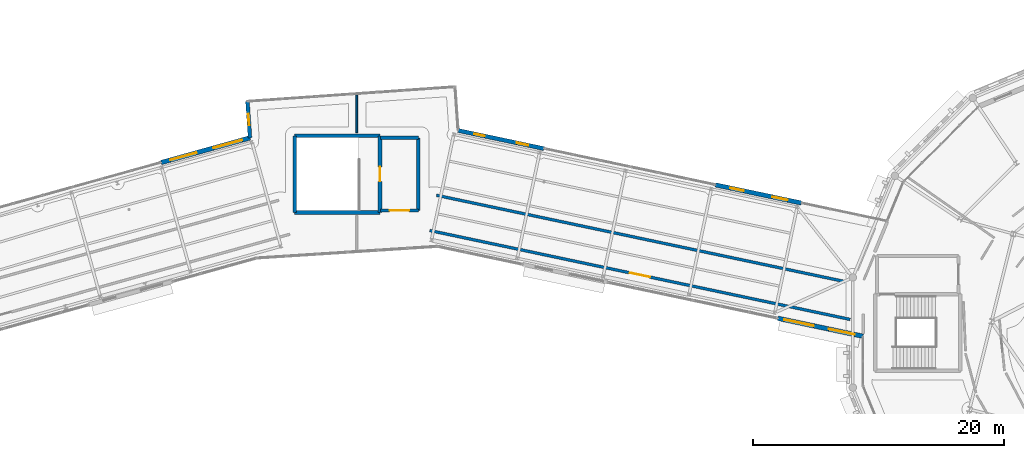
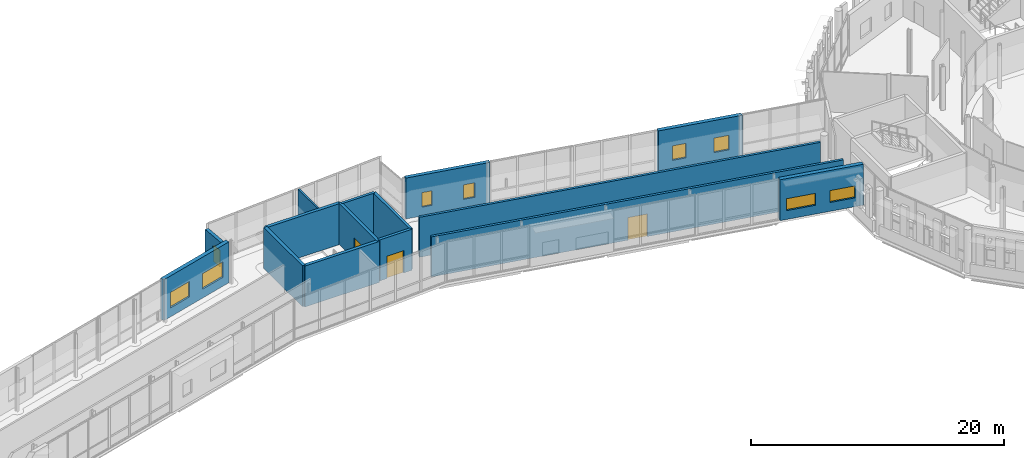
# One storey, part 91 of 125: 15 walls, 9 windows, 3 doors, 12 openings.
"""IFC4 building model written with IfcOpenShell, lengths in metres."""

import ifcopenshell
import ifcopenshell.guid

model = None  # the IFC model being written
_history = None  # IfcOwnerHistory: only IFC2X3 demands one
_inside = {}  # id of a spatial element -> (the spatial element, [elements in it])
_under = {}  # id of a project, library or spatial element -> (it, [spatial elements below it])
_declared = {}  # id of a project -> (the project, [libraries it declares])
_typed = {}  # id of a type object -> (the type object, [elements of that type])
_made_of = {}  # id of a material, layer set ... -> (it, [elements and type objects made of it])


def new_model(schema):
    """Start an empty IFC model of exactly this schema.

    Asked for "IFC4X3", IfcOpenShell would pick the latest addendum, in which some entities
    have other attributes; the version numbers below select the first issue.
    IFC2X3 requires an IfcOwnerHistory on every rooted entity: one is made here for all.
    """
    global model, _history
    if schema == "IFC4X3":
        model = ifcopenshell.file(schema_version=(4, 3, 0, 0))
    else:
        model = ifcopenshell.file(schema=schema)
    _inside.clear()
    _under.clear()
    _declared.clear()
    _typed.clear()
    _made_of.clear()
    _history = None
    if model.schema == "IFC2X3":
        org = make("IfcOrganization", Name="unknown")
        user = make(
            "IfcPersonAndOrganization",
            ThePerson=make("IfcPerson", FamilyName="unknown"),
            TheOrganization=org,
        )
        app = make(
            "IfcApplication",
            ApplicationDeveloper=org,
            Version="unknown",
            ApplicationFullName="unknown",
            ApplicationIdentifier="unknown",
        )
        _history = make(
            "IfcOwnerHistory",
            OwningUser=user,
            OwningApplication=app,
            ChangeAction="ADDED",
            CreationDate=0,
        )
    return model


def make(cls, **values):
    """One entity of the class cls with the attributes given. An attribute that is None is left unset."""
    return model.create_entity(
        cls, **{name: value for name, value in values.items() if value is not None}
    )


def rooted(cls, **values):
    """An entity with a GlobalId (a new one), such as an element, a storey or a relation."""
    return make(cls, GlobalId=ifcopenshell.guid.new(), OwnerHistory=_history, **values)


def si_unit(unit_type, name, prefix=None):
    """IfcSIUnit, for example si_unit("LENGTHUNIT", "METRE", prefix="MILLI")."""
    return make("IfcSIUnit", UnitType=unit_type, Prefix=prefix, Name=name)


def assignment(units):
    """IfcUnitAssignment: the units of a project."""
    return None if units is None else make("IfcUnitAssignment", Units=units)


def point(xyz):
    """IfcCartesianPoint."""
    return None if xyz is None else make("IfcCartesianPoint", Coordinates=xyz)


def direction(xyz):
    """IfcDirection."""
    return None if xyz is None else make("IfcDirection", DirectionRatios=xyz)


def frame(location, z_axis=None, x_axis=None):
    """IfcAxis2Placement3D, a coordinate frame: its origin and axes. An axis left out is left unset."""
    return make(
        "IfcAxis2Placement3D",
        Location=point(location),
        Axis=direction(z_axis),
        RefDirection=direction(x_axis),
    )


def frame_2d(location, x_axis=None):
    """IfcAxis2Placement2D, a coordinate frame in the plane: its origin and x axis."""
    return make(
        "IfcAxis2Placement2D", Location=point(location), RefDirection=direction(x_axis)
    )


def origin():
    """The frame at (0, 0, 0) with its axes left unset."""
    return frame((0.0, 0.0, 0.0))


def place(relative_to, where):
    """IfcLocalPlacement: puts the frame where relative to a parent placement (None: the world)."""
    return make(
        "IfcLocalPlacement", PlacementRelTo=relative_to, RelativePlacement=where
    )


def context(
    kind, dimensions, precision=None, world=None, true_north=None, identifier=None
):
    """IfcGeometricRepresentationContext, for example the 3D "Model" context."""
    return make(
        "IfcGeometricRepresentationContext",
        ContextIdentifier=identifier,
        ContextType=kind,
        CoordinateSpaceDimension=dimensions,
        Precision=precision,
        WorldCoordinateSystem=world,
        TrueNorth=true_north,
    )


def subcontext(parent, identifier, kind, view, scale=None):
    """IfcGeometricRepresentationSubContext, for example "Body" below "Model"."""
    return make(
        "IfcGeometricRepresentationSubContext",
        ContextIdentifier=identifier,
        ContextType=kind,
        ParentContext=parent,
        TargetScale=scale,
        TargetView=view,
    )


def project(units=None, contexts=None):
    """IfcProject with its units and contexts."""
    return rooted(
        "IfcProject",
        Name="project",
        RepresentationContexts=contexts,
        UnitsInContext=assignment(units),
    )


def spatial(cls, under=None, at=None, **own):
    """A site, building, storey or space (cls), placed at a placement, below another one or the project."""
    s = rooted(cls, ObjectPlacement=at, **own)
    if under is not None:
        _under.setdefault(under.id(), (under, []))[1].append(s)
    return s


def profile(cls, at=None, kind="AREA", **sizes):
    """A parametric profile (cls). Its sizes go by their IFC names, for example OverallWidth=200.0."""
    return make(cls, ProfileType=kind, Position=at, **sizes)


def rectangle(**sizes):
    """IfcRectangleProfileDef."""
    return profile("IfcRectangleProfileDef", **sizes)


def extrude(swept, where, along, depth):
    """IfcExtrudedAreaSolid: the profile swept, set in the frame where, extruded along a direction by depth."""
    return make(
        "IfcExtrudedAreaSolid",
        SweptArea=swept,
        Position=where,
        ExtrudedDirection=direction(along),
        Depth=depth,
    )


def shape(context_of_items, identifier, shape_type, items):
    """IfcShapeRepresentation: the items that make up one representation, for example the "Body"."""
    return make(
        "IfcShapeRepresentation",
        ContextOfItems=context_of_items,
        RepresentationIdentifier=identifier,
        RepresentationType=shape_type,
        Items=items,
    )


def material(Name=None, Category=None):
    """IfcMaterial."""
    return make("IfcMaterial", Name=Name, Category=Category)


def layer(
    of_material, thickness, ventilated=None, Name=None, Category=None, Priority=None
):
    """IfcMaterialLayer: one layer of a wall or slab, of a material (None: an air gap)."""
    return make(
        "IfcMaterialLayer",
        Material=of_material,
        LayerThickness=thickness,
        IsVentilated=ventilated,
        Name=Name,
        Category=Category,
        Priority=Priority,
    )


def layer_set(layers, Name=None):
    """IfcMaterialLayerSet."""
    return make("IfcMaterialLayerSet", MaterialLayers=layers, LayerSetName=Name)


def made_of(thing, what):
    """Note that an element or type object is made of a material, layer set ...; save() writes the relation."""
    if what is not None:
        _made_of.setdefault(what.id(), (what, []))[1].append(thing)
    return thing


def type_object(cls, material=None, **own):
    """A type object (cls), such as IfcWallType, which elements share."""
    return made_of(rooted(cls, **own), material)


def element(
    cls,
    number,
    at=None,
    inside=None,
    cuts=None,
    type_object=None,
    material=None,
    context=None,
    identifier="Body",
    shape_type=None,
    held_by="IfcProductDefinitionShape",
    body=None,
    shapes=None,
    **own,
):
    """One element of the class cls, such as IfcWall. Its Tag is "e" and its number.

    at: its placement. inside: the storey or other place that contains it. cuts: it is an
    opening in that element (IfcRelVoidsElement). A single representation is given by context,
    identifier, shape_type and body (its items); several are given by shapes. held_by: the class
    of the entity that holds the representations. save() writes the other relations.
    """
    e = rooted(cls, Tag="e%d" % number, ObjectPlacement=at, **own)
    if body is not None:
        shapes = [shape(context, identifier, shape_type, body)]
    if shapes is not None:
        e.Representation = make(held_by, Representations=shapes)
    if inside is not None:
        _inside.setdefault(inside.id(), (inside, []))[1].append(e)
    if cuts is not None:
        rooted(
            "IfcRelVoidsElement", RelatingBuildingElement=cuts, RelatedOpeningElement=e
        )
    if type_object is not None:
        _typed.setdefault(type_object.id(), (type_object, []))[1].append(e)
    return made_of(e, material)


def fill(opening, filler):
    """IfcRelFillsElement: the door or window that sits in an opening."""
    return rooted(
        "IfcRelFillsElement",
        RelatingOpeningElement=opening,
        RelatedBuildingElement=filler,
    )


def aggregate(whole, parts):
    """IfcRelAggregates: a whole, such as a stair, and the parts it consists of."""
    return rooted("IfcRelAggregates", RelatingObject=whole, RelatedObjects=parts)


def save(model, path):
    """Write the relations noted so far, then the file.

    IfcRelAggregates (storeys below a building ...), IfcRelContainedInSpatialStructure (elements
    in a storey), IfcRelDefinesByType, IfcRelAssociatesMaterial and IfcRelDeclares: one each for
    every whole, place, type object, material and project.
    """
    for whole, parts in _under.values():
        aggregate(whole, parts)
    for where, things in _inside.values():
        rooted(
            "IfcRelContainedInSpatialStructure",
            RelatedElements=things,
            RelatingStructure=where,
        )
    for kind, things in _typed.values():
        rooted("IfcRelDefinesByType", RelatedObjects=things, RelatingType=kind)
    for what, things in _made_of.values():
        rooted("IfcRelAssociatesMaterial", RelatedObjects=things, RelatingMaterial=what)
    for by, libraries in _declared.values():
        rooted("IfcRelDeclares", RelatingContext=by, RelatedDefinitions=libraries)
    model.write(path)


model = new_model("IFC4")

# Units and contexts
model_context = context("Model", 3, precision=1e-05, world=origin(), true_north=direction((0.0, 1.0)))
body_context = subcontext(model_context, "Body", "Model", "MODEL_VIEW")
ifc_project = project(units=[si_unit("LENGTHUNIT", "METRE"), si_unit("AREAUNIT", "SQUARE_METRE"), si_unit("VOLUMEUNIT", "CUBIC_METRE"), si_unit("PLANEANGLEUNIT", "RADIAN"), si_unit("MASSUNIT", "GRAM", prefix="KILO")], contexts=[model_context])

# Site, building, storey
site_placement = place(None, origin())
site = spatial("IfcSite", under=ifc_project, at=site_placement, CompositionType="ELEMENT")
building_placement = place(site_placement, origin())
building = spatial("IfcBuilding", under=site, at=building_placement, Name="Wrenclough Park School", CompositionType="ELEMENT")
storey_placement = place(building_placement, frame((0.0, 0.0, 4.199951171875)))
storey = spatial("IfcBuildingStorey", under=building, at=storey_placement, Name="L01", CompositionType="ELEMENT", Elevation=4.199951171875)

# Wall, opening, window
ifc_material_1 = material(Name="Manchester multi-stock brick and Concrete C32/40 inner leaf", Category="masonry")
ifc_layer_1 = layer(ifc_material_1, 0.300048828125)
ifc_layer_set_1 = layer_set([ifc_layer_1], Name="Manchester multi-stock brick and Concrete C32/40 inner leaf")
wall_type_1 = type_object("IfcWallType", Name="ENV-EW-300", PredefinedType="SOLIDWALL", material=ifc_layer_set_1)
wall_1_placement = place(storey_placement, frame((85.50439453125, 41.993896484375, 0.0), z_axis=(0.0, 0.0, 1.0), x_axis=(-0.069781381615, 0.997562308219, 0.0)))
wall_1 = element("IfcWall", 1, at=wall_1_placement, inside=storey, type_object=wall_type_1, Name="L01 insulated brick external wall 0112", PredefinedType="SOLIDWALL", context=body_context, shape_type="SweptSolid", body=[
    extrude(rectangle(XDim=2.900390625, YDim=0.300048828125, at=frame_2d((1.4501953125, 0.0))), origin(), (0.0, 0.0, 1.0), 3.4189453125),
])
opening_1_placement = place(wall_1_placement, frame((1.000244140625, 0.0, 0.85009765625)))
opening_1 = element("IfcOpeningElement", 2, at=opening_1_placement, cuts=wall_1, Name="Opening WN-13", PredefinedType="OPENING", context=body_context, shape_type="SweptSolid", body=[
    extrude(rectangle(XDim=0.89990234375, YDim=1.60009765625, at=frame_2d((0.449951171875, 0.800048828125))), frame((0.0, 0.159912109375, 0.0), z_axis=(0.0, -1.0, 0.0), x_axis=(1.0, 0.0, 0.0)), (0.0, 0.0, 1.0), 0.320068359375),
])
ifc_material_2 = material(Name="Thermally broken aluminium and double-glazed low-e glass", Category="aluminium")
window_type_1 = type_object("IfcWindowType", Name="ENV-WN-13", PartitioningType="SINGLE_PANEL", PredefinedType="WINDOW", material=ifc_material_2)
window_1_placement = place(opening_1_placement, origin())
window_1 = element("IfcWindow", 3, at=window_1_placement, inside=storey, type_object=window_type_1, Name="L01 scheduled facade window 0167", OverallHeight=1.60009765625, OverallWidth=0.89990234375, PartitioningType="SINGLE_PANEL", PredefinedType="WINDOW", context=body_context, shape_type="SweptSolid", body=[
    extrude(rectangle(XDim=0.89990234375, YDim=1.60009765625, at=frame_2d((0.449951171875, 0.800048828125))), frame((0.0, 0.030029296875, 0.0), z_axis=(0.0, -1.0, 0.0), x_axis=(1.0, 0.0, 0.0)), (0.0, 0.0, 1.0), 0.06005859375),
])
fill(opening_1, window_1)

# Wall, openings, windows
ifc_layer_2 = layer(ifc_material_1, 0.324951171875)
ifc_layer_set_2 = layer_set([ifc_layer_2], Name="Manchester multi-stock brick and Concrete C32/40 inner leaf")
wall_type_2 = type_object("IfcWallType", Name="ENV-EW-325", PredefinedType="SOLIDWALL", material=ifc_layer_set_2)
wall_2_placement = place(storey_placement, frame((102.06396484375, 42.578857421875, 0.0), z_axis=(0.0, 0.0, 1.0), x_axis=(0.978380607177, -0.206812445224, 0.0)))
wall_2 = element("IfcWall", 4, at=wall_2_placement, inside=storey, type_object=wall_type_2, Name="L01 insulated brick external wall 0113", PredefinedType="SOLIDWALL", context=body_context, shape_type="SweptSolid", body=[
    extrude(rectangle(XDim=6.980224609375, YDim=0.324951171875, at=frame_2d((3.490234375, 0.0))), origin(), (0.0, 0.0, 1.0), 3.93994140625),
])
opening_2_placement = place(wall_2_placement, frame((1.320068359375, 0.0, 0.85009765625)))
opening_2 = element("IfcOpeningElement", 5, at=opening_2_placement, cuts=wall_2, Name="Opening WN-01", PredefinedType="OPENING", context=body_context, shape_type="SweptSolid", body=[
    extrude(rectangle(XDim=0.85009765625, YDim=1.39990234375, at=frame_2d((0.425048828125, 0.699951171875))), frame((0.0, 0.17236328125, 0.0), z_axis=(0.0, -1.0, 0.0), x_axis=(1.0, 0.0, 0.0)), (0.0, 0.0, 1.0), 0.344970703125),
])
opening_3_placement = place(wall_2_placement, frame((4.76025390625, 0.0, 0.85009765625)))
opening_3 = element("IfcOpeningElement", 6, at=opening_3_placement, cuts=wall_2, Name="Opening WN-02", PredefinedType="OPENING", context=body_context, shape_type="SweptSolid", body=[
    extrude(rectangle(XDim=0.949951171875, YDim=1.39990234375, at=frame_2d((0.47509765625, 0.699951171875))), frame((0.0, 0.17236328125, 0.0), z_axis=(0.0, -1.0, 0.0), x_axis=(1.0, 0.0, 0.0)), (0.0, 0.0, 1.0), 0.344970703125),
])
window_type_2 = type_object("IfcWindowType", Name="ENV-WN-01", PartitioningType="SINGLE_PANEL", PredefinedType="WINDOW", material=ifc_material_2)
window_2_placement = place(opening_2_placement, origin())
window_2 = element("IfcWindow", 7, at=window_2_placement, inside=storey, type_object=window_type_2, Name="L01 scheduled facade window 0168", OverallHeight=1.39990234375, OverallWidth=0.85009765625, PartitioningType="SINGLE_PANEL", PredefinedType="WINDOW", context=body_context, shape_type="SweptSolid", body=[
    extrude(rectangle(XDim=0.85009765625, YDim=1.39990234375, at=frame_2d((0.425048828125, 0.699951171875))), frame((0.0, 0.030029296875, 0.0), z_axis=(0.0, -1.0, 0.0), x_axis=(1.0, 0.0, 0.0)), (0.0, 0.0, 1.0), 0.06005859375),
])
fill(opening_2, window_2)
window_type_3 = type_object("IfcWindowType", Name="ENV-WN-02", PartitioningType="SINGLE_PANEL", PredefinedType="WINDOW", material=ifc_material_2)
window_3_placement = place(opening_3_placement, origin())
window_3 = element("IfcWindow", 8, at=window_3_placement, inside=storey, type_object=window_type_3, Name="L01 scheduled facade window 0169", OverallHeight=1.39990234375, OverallWidth=0.949951171875, PartitioningType="SINGLE_PANEL", PredefinedType="WINDOW", context=body_context, shape_type="SweptSolid", body=[
    extrude(rectangle(XDim=0.949951171875, YDim=1.39990234375, at=frame_2d((0.47509765625, 0.699951171875))), frame((0.0, 0.030029296875, 0.0), z_axis=(0.0, -1.0, 0.0), x_axis=(1.0, 0.0, 0.0)), (0.0, 0.0, 1.0), 0.06005859375),
])
fill(opening_3, window_3)

ifc_material_3 = material(Name="Staffordshire blue-grey brick and Concrete C35/45 inner leaf", Category="masonry")
ifc_layer_3 = layer(ifc_material_3, 0.35009765625)
ifc_layer_set_3 = layer_set([ifc_layer_3], Name="Staffordshire blue-grey brick and Concrete C35/45 inner leaf")
wall_type_3 = type_object("IfcWallType", Name="ENV-EW-350", PredefinedType="SOLIDWALL", material=ifc_layer_set_3)
wall_3_placement = place(storey_placement, frame((122.5517578125, 38.248046875, 0.0), z_axis=(0.0, 0.0, 1.0), x_axis=(0.978380607177, -0.206812445224, 0.0)))
wall_3 = element("IfcWall", 9, at=wall_3_placement, inside=storey, type_object=wall_type_3, Name="L01 insulated brick external wall 0114", PredefinedType="SOLIDWALL", context=body_context, shape_type="SweptSolid", body=[
    extrude(rectangle(XDim=6.980224609375, YDim=0.35009765625, at=frame_2d((3.490234375, 0.0))), origin(), (0.0, 0.0, 1.0), 3.93994140625),
])
opening_4_placement = place(wall_3_placement, frame((1.195068359375, 0.0, 0.85009765625)))
opening_4 = element("IfcOpeningElement", 10, at=opening_4_placement, cuts=wall_3, Name="Opening WN-03", PredefinedType="OPENING", context=body_context, shape_type="SweptSolid", body=[
    extrude(rectangle(XDim=1.10009765625, YDim=1.39990234375, at=frame_2d((0.550048828125, 0.699951171875))), frame((0.0, 0.18505859375, 0.0), z_axis=(0.0, -1.0, 0.0), x_axis=(1.0, 0.0, 0.0)), (0.0, 0.0, 1.0), 0.3701171875),
])
opening_5_placement = place(wall_3_placement, frame((4.610107421875, 0.0, 0.85009765625)))
opening_5 = element("IfcOpeningElement", 11, at=opening_5_placement, cuts=wall_3, Name="Opening WN-04", PredefinedType="OPENING", context=body_context, shape_type="SweptSolid", body=[
    extrude(rectangle(XDim=1.25, YDim=1.39990234375, at=frame_2d((0.625, 0.699951171875))), frame((0.0, 0.18505859375, 0.0), z_axis=(0.0, -1.0, 0.0), x_axis=(1.0, 0.0, 0.0)), (0.0, 0.0, 1.0), 0.3701171875),
])
window_type_4 = type_object("IfcWindowType", Name="ENV-WN-03", PartitioningType="SINGLE_PANEL", PredefinedType="WINDOW", material=ifc_material_2)
window_4_placement = place(opening_4_placement, origin())
window_4 = element("IfcWindow", 12, at=window_4_placement, inside=storey, type_object=window_type_4, Name="L01 scheduled facade window 0170", OverallHeight=1.39990234375, OverallWidth=1.10009765625, PartitioningType="SINGLE_PANEL", PredefinedType="WINDOW", context=body_context, shape_type="SweptSolid", body=[
    extrude(rectangle(XDim=1.10009765625, YDim=1.39990234375, at=frame_2d((0.550048828125, 0.699951171875))), frame((0.0, 0.030029296875, 0.0), z_axis=(0.0, -1.0, 0.0), x_axis=(1.0, 0.0, 0.0)), (0.0, 0.0, 1.0), 0.06005859375),
])
fill(opening_4, window_4)
window_type_5 = type_object("IfcWindowType", Name="ENV-WN-04", PartitioningType="SINGLE_PANEL", PredefinedType="WINDOW", material=ifc_material_2)
window_5_placement = place(opening_5_placement, origin())
window_5 = element("IfcWindow", 13, at=window_5_placement, inside=storey, type_object=window_type_5, Name="L01 scheduled facade window 0171", OverallHeight=1.39990234375, OverallWidth=1.25, PartitioningType="SINGLE_PANEL", PredefinedType="WINDOW", context=body_context, shape_type="SweptSolid", body=[
    extrude(rectangle(XDim=1.25, YDim=1.39990234375, at=frame_2d((0.625, 0.699951171875))), frame((0.0, 0.030029296875, 0.0), z_axis=(0.0, -1.0, 0.0), x_axis=(1.0, 0.0, 0.0)), (0.0, 0.0, 1.0), 0.06005859375),
])
fill(opening_5, window_5)

ifc_material_4 = material(Name="Faceted courtyard brick-cavity wall Concrete C35/45", Category="masonry")
ifc_layer_4 = layer(ifc_material_4, 0.364990234375)
ifc_layer_set_4 = layer_set([ifc_layer_4], Name="Faceted courtyard brick-cavity wall Concrete C35/45")
wall_type_4 = type_object("IfcWallType", Name="ENV-EW-365", PredefinedType="SOLIDWALL", material=ifc_layer_set_4)
wall_4_placement = place(storey_placement, frame((134.287841796875, 26.200439453125, 0.0), z_axis=(0.0, 0.0, 1.0), x_axis=(-0.978380606667, 0.206812447639, 0.0)))
wall_4 = element("IfcWall", 14, at=wall_4_placement, inside=storey, type_object=wall_type_4, Name="L01 insulated brick external wall 0103", PredefinedType="SOLIDWALL", context=body_context, shape_type="SweptSolid", body=[
    extrude(rectangle(XDim=6.9189453125, YDim=0.364990234375, at=frame_2d((3.45947265625, 0.0))), origin(), (0.0, 0.0, 1.0), 3.93994140625),
])
opening_6_placement = place(wall_4_placement, frame((0.6796875, 0.0, 0.85009765625)))
opening_6 = element("IfcOpeningElement", 15, at=opening_6_placement, cuts=wall_4, Name="Opening WN-40", PredefinedType="OPENING", context=body_context, shape_type="SweptSolid", body=[
    extrude(rectangle(XDim=2.10009765625, YDim=1.14990234375, at=frame_2d((1.050048828125, 0.574951171875))), frame((0.0, 0.1923828125, 0.0), z_axis=(0.0, -1.0, 0.0), x_axis=(1.0, 0.0, 0.0)), (0.0, 0.0, 1.0), 0.385009765625),
])
opening_7_placement = place(wall_4_placement, frame((3.9892578125, 0.0, 0.85009765625)))
opening_7 = element("IfcOpeningElement", 16, at=opening_7_placement, cuts=wall_4, Name="Opening WN-41", PredefinedType="OPENING", context=body_context, shape_type="SweptSolid", body=[
    extrude(rectangle(XDim=2.39990234375, YDim=1.14990234375, at=frame_2d((1.199951171875, 0.574951171875))), frame((0.0, 0.1923828125, 0.0), z_axis=(0.0, -1.0, 0.0), x_axis=(1.0, 0.0, 0.0)), (0.0, 0.0, 1.0), 0.385009765625),
])
window_type_6 = type_object("IfcWindowType", Name="ENV-WN-40", PartitioningType="DOUBLE_PANEL_VERTICAL", PredefinedType="WINDOW", material=ifc_material_2)
window_6_placement = place(opening_6_placement, origin())
window_6 = element("IfcWindow", 17, at=window_6_placement, inside=storey, type_object=window_type_6, Name="L01 scheduled facade window 0151", OverallHeight=1.14990234375, OverallWidth=2.10009765625, PartitioningType="SINGLE_PANEL", PredefinedType="WINDOW", context=body_context, shape_type="SweptSolid", body=[
    extrude(rectangle(XDim=2.10009765625, YDim=1.14990234375, at=frame_2d((1.050048828125, 0.574951171875))), frame((0.0, 0.030029296875, 0.0), z_axis=(0.0, -1.0, 0.0), x_axis=(1.0, 0.0, 0.0)), (0.0, 0.0, 1.0), 0.06005859375),
])
fill(opening_6, window_6)
window_type_7 = type_object("IfcWindowType", Name="ENV-WN-41", PartitioningType="DOUBLE_PANEL_VERTICAL", PredefinedType="WINDOW", material=ifc_material_2)
window_7_placement = place(opening_7_placement, origin())
window_7 = element("IfcWindow", 18, at=window_7_placement, inside=storey, type_object=window_type_7, Name="L01 scheduled facade window 0152", OverallHeight=1.14990234375, OverallWidth=2.39990234375, PartitioningType="SINGLE_PANEL", PredefinedType="WINDOW", context=body_context, shape_type="SweptSolid", body=[
    extrude(rectangle(XDim=2.39990234375, YDim=1.14990234375, at=frame_2d((1.199951171875, 0.574951171875))), frame((0.0, 0.030029296875, 0.0), z_axis=(0.0, -1.0, 0.0), x_axis=(1.0, 0.0, 0.0)), (0.0, 0.0, 1.0), 0.06005859375),
])
fill(opening_7, window_7)

wall_5_placement = place(storey_placement, frame((78.435546875, 40.02685546875, 0.0), z_axis=(0.0, 0.0, 1.0), x_axis=(0.963395775512, 0.268083158227, 0.0)))
wall_5 = element("IfcWall", 19, at=wall_5_placement, inside=storey, type_object=wall_type_4, Name="L01 insulated brick external wall 0111", PredefinedType="SOLIDWALL", context=body_context, shape_type="SweptSolid", body=[
    extrude(rectangle(XDim=7.33740234375, YDim=0.364990234375, at=frame_2d((3.668701171875, 0.0))), origin(), (0.0, 0.0, 1.0), 3.93994140625),
])
opening_8_placement = place(wall_5_placement, frame((0.759521484375, 0.0, 0.85009765625)))
opening_8 = element("IfcOpeningElement", 20, at=opening_8_placement, cuts=wall_5, Name="Opening WN-54", PredefinedType="OPENING", context=body_context, shape_type="SweptSolid", body=[
    extrude(rectangle(XDim=2.14990234375, YDim=1.5, at=frame_2d((1.074951171875, 0.75))), frame((0.0, 0.1923828125, 0.0), z_axis=(0.0, -1.0, 0.0), x_axis=(1.0, 0.0, 0.0)), (0.0, 0.0, 1.0), 0.385009765625),
])
opening_9_placement = place(wall_5_placement, frame((4.328125, 0.0, 0.85009765625)))
opening_9 = element("IfcOpeningElement", 21, at=opening_9_placement, cuts=wall_5, Name="Opening WN-55", PredefinedType="OPENING", context=body_context, shape_type="SweptSolid", body=[
    extrude(rectangle(XDim=2.35009765625, YDim=1.5, at=frame_2d((1.175048828125, 0.75))), frame((0.0, 0.1923828125, 0.0), z_axis=(0.0, -1.0, 0.0), x_axis=(1.0, 0.0, 0.0)), (0.0, 0.0, 1.0), 0.385009765625),
])
window_type_8 = type_object("IfcWindowType", Name="ENV-WN-54", PartitioningType="DOUBLE_PANEL_VERTICAL", PredefinedType="WINDOW", material=ifc_material_2)
window_8_placement = place(opening_8_placement, origin())
window_8 = element("IfcWindow", 22, at=window_8_placement, inside=storey, type_object=window_type_8, Name="L01 scheduled facade window 0165", OverallHeight=1.5, OverallWidth=2.14990234375, PartitioningType="SINGLE_PANEL", PredefinedType="WINDOW", context=body_context, shape_type="SweptSolid", body=[
    extrude(rectangle(XDim=2.14990234375, YDim=1.5, at=frame_2d((1.074951171875, 0.75))), frame((0.0, 0.030029296875, 0.0), z_axis=(0.0, -1.0, 0.0), x_axis=(1.0, 0.0, 0.0)), (0.0, 0.0, 1.0), 0.06005859375),
])
fill(opening_8, window_8)
window_type_9 = type_object("IfcWindowType", Name="ENV-WN-55", PartitioningType="DOUBLE_PANEL_VERTICAL", PredefinedType="WINDOW", material=ifc_material_2)
window_9_placement = place(opening_9_placement, origin())
window_9 = element("IfcWindow", 23, at=window_9_placement, inside=storey, type_object=window_type_9, Name="L01 scheduled facade window 0166", OverallHeight=1.5, OverallWidth=2.35009765625, PartitioningType="SINGLE_PANEL", PredefinedType="WINDOW", context=body_context, shape_type="SweptSolid", body=[
    extrude(rectangle(XDim=2.35009765625, YDim=1.5, at=frame_2d((1.175048828125, 0.75))), frame((0.0, 0.030029296875, 0.0), z_axis=(0.0, -1.0, 0.0), x_axis=(1.0, 0.0, 0.0)), (0.0, 0.0, 1.0), 0.06005859375),
])
fill(opening_9, window_9)

# Wall, opening, door
ifc_material_5 = material(Name="Concrete C35/45", Category="concrete")
ifc_layer_5 = layer(ifc_material_5, 0.25)
ifc_layer_set_5 = layer_set([ifc_layer_5], Name="Concrete C35/45")
wall_type_5 = type_object("IfcWallType", Name="INT-CW-250", PredefinedType="SHEAR", material=ifc_layer_set_5)
wall_6_placement = place(storey_placement, frame((95.89990234375, 36.199951171875, 0.0), z_axis=(0.0, 0.0, 1.0), x_axis=(1.0, 0.0, 0.0)))
wall_6 = element("IfcWall", 24, at=wall_6_placement, inside=storey, type_object=wall_type_5, Name="Core C7 L01 lobby fire wall south", PredefinedType="SHEAR", context=body_context, shape_type="SweptSolid", body=[
    extrude(rectangle(XDim=3.0, YDim=0.25, at=frame_2d((1.5, 0.0))), origin(), (0.0, 0.0, 1.0), 3.949951171875),
])
opening_10_placement = place(wall_6_placement, frame((0.72509765625, 0.0, 0.0)))
opening_10 = element("IfcOpeningElement", 25, at=opening_10_placement, cuts=wall_6, Name="Opening DLB-C7-L01", PredefinedType="OPENING", context=body_context, shape_type="SweptSolid", body=[
    extrude(rectangle(XDim=1.550048828125, YDim=2.14990234375, at=frame_2d((0.77490234375, 1.074951171875))), frame((0.0, 0.135009765625, 0.0), z_axis=(0.0, -1.0, 0.0), x_axis=(1.0, 0.0, 0.0)), (0.0, 0.0, 1.0), 0.27001953125),
])
ifc_material_6 = material(Name="Protected stair lobby double fire door assembly", Category="wood")
door_type_1 = type_object("IfcDoorType", Name="INT-DR-LB155", OperationType="NOTDEFINED", PredefinedType="DOOR", material=ifc_material_6)
door_1_placement = place(opening_10_placement, origin())
door_1 = element("IfcDoor", 26, at=door_1_placement, inside=storey, type_object=door_type_1, Name="Core C7 L01 protected lobby fire door", OperationType="DOUBLE_DOOR_SINGLE_SWING", OverallHeight=2.14990234375, OverallWidth=1.550048828125, PredefinedType="DOOR", context=body_context, shape_type="SweptSolid", body=[
    extrude(rectangle(XDim=1.550048828125, YDim=2.14990234375, at=frame_2d((0.77490234375, 1.074951171875))), frame((0.0, 0.02490234375, 0.0), z_axis=(0.0, -1.0, 0.0), x_axis=(1.0, 0.0, 0.0)), (0.0, 0.0, 1.0), 0.050048828125),
])
fill(opening_10, door_1)

# Walls
wall_7_placement = place(storey_placement, frame((98.89990234375, 36.199951171875, 0.0), z_axis=(0.0, 0.0, 1.0), x_axis=(0.0, 1.0, 0.0)))
element("IfcWall", 27, at=wall_7_placement, inside=storey, type_object=wall_type_5, Name="Core C7 L01 lobby fire wall east", PredefinedType="SHEAR", context=body_context, shape_type="SweptSolid", body=[
    extrude(rectangle(XDim=5.800048828125, YDim=0.25, at=frame_2d((2.89990234375, 0.0))), origin(), (0.0, 0.0, 1.0), 3.949951171875),
])
wall_8_placement = place(storey_placement, frame((98.89990234375, 42.0, 0.0), z_axis=(0.0, 0.0, 1.0), x_axis=(-1.0, 0.0, 0.0)))
element("IfcWall", 28, at=wall_8_placement, inside=storey, type_object=wall_type_5, Name="Core C7 L01 lobby fire wall north", PredefinedType="SHEAR", context=body_context, shape_type="SweptSolid", body=[
    extrude(rectangle(XDim=3.0, YDim=0.25, at=frame_2d((1.5, 0.0))), origin(), (0.0, 0.0, 1.0), 3.949951171875),
])
ifc_material_7 = material(Name="Concrete C40/50", Category="concrete")
ifc_layer_6 = layer(ifc_material_7, 0.2900390625)
ifc_layer_set_6 = layer_set([ifc_layer_6], Name="Concrete C40/50")
wall_type_6 = type_object("IfcWallType", Name="INT-CW-290", PredefinedType="SHEAR", material=ifc_layer_set_6)
wall_9_placement = place(storey_placement, frame((89.054931640625, 36.054931640625, 0.0), z_axis=(0.0, 0.0, 1.0), x_axis=(1.0, 0.0, 0.0)))
element("IfcWall", 29, at=wall_9_placement, inside=storey, type_object=wall_type_6, Name="Core C7 L01 south shear wall", PredefinedType="SHEAR", context=body_context, shape_type="SweptSolid", body=[
    extrude(rectangle(XDim=6.7900390625, YDim=0.2900390625, at=frame_2d((3.39501953125, 0.0))), origin(), (0.0, 0.0, 1.0), 3.949951171875),
])

# Wall, opening, door
wall_10_placement = place(storey_placement, frame((95.844970703125, 36.054931640625, 0.0), z_axis=(0.0, 0.0, 1.0), x_axis=(0.0, 1.0, 0.0)))
wall_10 = element("IfcWall", 30, at=wall_10_placement, inside=storey, type_object=wall_type_6, Name="Core C7 L01 east shear wall", PredefinedType="SHEAR", context=body_context, shape_type="SweptSolid", body=[
    extrude(rectangle(XDim=6.090087890625, YDim=0.2900390625, at=frame_2d((3.044921875, 0.0))), origin(), (0.0, 0.0, 1.0), 3.949951171875),
])
opening_11_placement = place(wall_10_placement, frame((2.469970703125, 0.0, 0.0)))
opening_11 = element("IfcOpeningElement", 31, at=opening_11_placement, cuts=wall_10, Name="Opening DST-C7-L01", PredefinedType="OPENING", context=body_context, shape_type="SweptSolid", body=[
    extrude(rectangle(XDim=1.14990234375, YDim=2.10009765625, at=frame_2d((0.574951171875, 1.050048828125))), frame((0.0, 0.155029296875, 0.0), z_axis=(0.0, -1.0, 0.0), x_axis=(1.0, 0.0, 0.0)), (0.0, 0.0, 1.0), 0.31005859375),
])
ifc_material_8 = material(Name="Protected escape stair single fire door assembly", Category="wood")
door_type_2 = type_object("IfcDoorType", Name="INT-DR-ST115", OperationType="NOTDEFINED", PredefinedType="DOOR", material=ifc_material_8)
door_2_placement = place(opening_11_placement, origin())
door_2 = element("IfcDoor", 32, at=door_2_placement, inside=storey, type_object=door_type_2, Name="Stair ST-10 L01 fire door", OperationType="SINGLE_SWING_RIGHT", OverallHeight=2.10009765625, OverallWidth=1.14990234375, PredefinedType="DOOR", context=body_context, shape_type="SweptSolid", body=[
    extrude(rectangle(XDim=1.14990234375, YDim=2.10009765625, at=frame_2d((0.574951171875, 1.050048828125))), frame((0.0, 0.02490234375, 0.0), z_axis=(0.0, -1.0, 0.0), x_axis=(1.0, 0.0, 0.0)), (0.0, 0.0, 1.0), 0.050048828125),
])
fill(opening_11, door_2)

# Walls
wall_11_placement = place(storey_placement, frame((95.844970703125, 42.14501953125, 0.0), z_axis=(0.0, 0.0, 1.0), x_axis=(-1.0, 0.0, 0.0)))
element("IfcWall", 33, at=wall_11_placement, inside=storey, type_object=wall_type_6, Name="Core C7 L01 north shear wall", PredefinedType="SHEAR", context=body_context, shape_type="SweptSolid", body=[
    extrude(rectangle(XDim=6.7900390625, YDim=0.2900390625, at=frame_2d((3.39501953125, 0.0))), origin(), (0.0, 0.0, 1.0), 3.949951171875),
])
wall_12_placement = place(storey_placement, frame((89.054931640625, 42.14501953125, 0.0), z_axis=(0.0, 0.0, 1.0), x_axis=(0.0, -1.0, 0.0)))
element("IfcWall", 34, at=wall_12_placement, inside=storey, type_object=wall_type_6, Name="Core C7 L01 west shear wall", PredefinedType="SHEAR", context=body_context, shape_type="SweptSolid", body=[
    extrude(rectangle(XDim=6.090087890625, YDim=0.2900390625, at=frame_2d((3.044921875, 0.0))), origin(), (0.0, 0.0, 1.0), 3.949951171875),
])
ifc_material_9 = material(Name="Protected corridor partition", Category="gypsum")
ifc_layer_7 = layer(ifc_material_9, 0.14990234375)
ifc_layer_set_7 = layer_set([ifc_layer_7], Name="Protected corridor partition")
wall_type_7 = type_object("IfcWallType", Name="INT-PW-150", PredefinedType="PARTITIONING", material=ifc_layer_set_7)
wall_13_placement = place(storey_placement, frame((94.0, 42.405029296875, 0.0), z_axis=(0.0, 0.0, 1.0), x_axis=(0.0, 1.0, 0.0)))
element("IfcWall", 35, at=wall_13_placement, inside=storey, type_object=wall_type_7, Name="L01 internal partition 0273", PredefinedType="PARTITIONING", context=body_context, shape_type="SweptSolid", body=[
    extrude(rectangle(XDim=2.989990234375, YDim=0.14990234375, at=frame_2d((1.4951171875, 0.0))), origin(), (0.0, 0.0, 1.0), 3.900146484375),
])

# Wall, opening, door
ifc_material_10 = material(Name="Twin-frame acoustic gypsum board 60 dB Rw", Category="gypsum")
ifc_layer_8 = layer(ifc_material_10, 0.22509765625)
ifc_layer_set_8 = layer_set([ifc_layer_8], Name="Twin-frame acoustic gypsum board 60 dB Rw")
wall_type_8 = type_object("IfcWallType", Name="INT-PW-225", PredefinedType="PARTITIONING", material=ifc_layer_set_8)
wall_14_placement = place(storey_placement, frame((133.273193359375, 27.539306640625, 0.0), z_axis=(0.0, 0.0, 1.0), x_axis=(-0.978354094501, 0.206937830696, 0.0)))
wall_14 = element("IfcWall", 36, at=wall_14_placement, inside=storey, type_object=wall_type_8, Name="L01 internal partition 0279", PredefinedType="PARTITIONING", context=body_context, shape_type="SweptSolid", body=[
    extrude(rectangle(XDim=34.20166015625, YDim=0.22509765625, at=frame_2d((17.100830078125, 0.0))), origin(), (0.0, 0.0, 1.0), 3.85498046875),
])
opening_12_placement = place(wall_14_placement, frame((16.291015625, 0.0, 0.0)))
opening_12 = element("IfcOpeningElement", 37, at=opening_12_placement, cuts=wall_14, Name="Opening DR-L01-052", PredefinedType="OPENING", context=body_context, shape_type="SweptSolid", body=[
    extrude(rectangle(XDim=1.6201171875, YDim=2.179931640625, at=frame_2d((0.81005859375, 1.08984375))), frame((0.0, 0.12255859375, 0.0), z_axis=(0.0, -1.0, 0.0), x_axis=(1.0, 0.0, 0.0)), (0.0, 0.0, 1.0), 0.2451171875),
])
ifc_material_11 = material(Name="Acoustic music and drama studio double door assembly", Category="wood")
door_type_3 = type_object("IfcDoorType", Name="INT-DR-STU162", OperationType="NOTDEFINED", PredefinedType="DOOR", material=ifc_material_11)
door_3_placement = place(opening_12_placement, origin())
door_3 = element("IfcDoor", 38, at=door_3_placement, inside=storey, type_object=door_type_3, Name="Music Group Studio door DR-L01-052", OperationType="DOUBLE_DOOR_SINGLE_SWING", OverallHeight=2.179931640625, OverallWidth=1.6201171875, PredefinedType="DOOR", context=body_context, shape_type="SweptSolid", body=[
    extrude(rectangle(XDim=1.6201171875, YDim=2.179931640625, at=frame_2d((0.81005859375, 1.08984375))), frame((0.0, 0.02490234375, 0.0), z_axis=(0.0, -1.0, 0.0), x_axis=(1.0, 0.0, 0.0)), (0.0, 0.0, 1.0), 0.050048828125),
])
fill(opening_12, door_3)

# Wall
wall_15_placement = place(storey_placement, frame((100.3447265625, 37.4228515625, 0.0), z_axis=(0.0, 0.0, 1.0), x_axis=(0.978381352199, -0.206808920674, 0.0)))
element("IfcWall", 39, at=wall_15_placement, inside=storey, type_object=wall_type_8, Name="L01 internal partition 0280", PredefinedType="PARTITIONING", context=body_context, shape_type="SweptSolid", body=[
    extrude(rectangle(XDim=33.298828125, YDim=0.22509765625, at=frame_2d((16.6494140625, 0.0))), origin(), (0.0, 0.0, 1.0), 3.85498046875),
])

save(model, "model.ifc")
